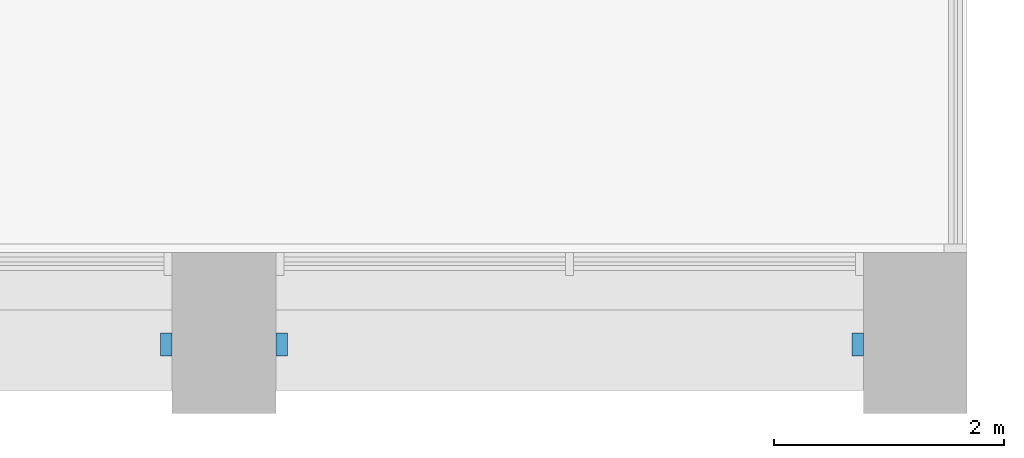
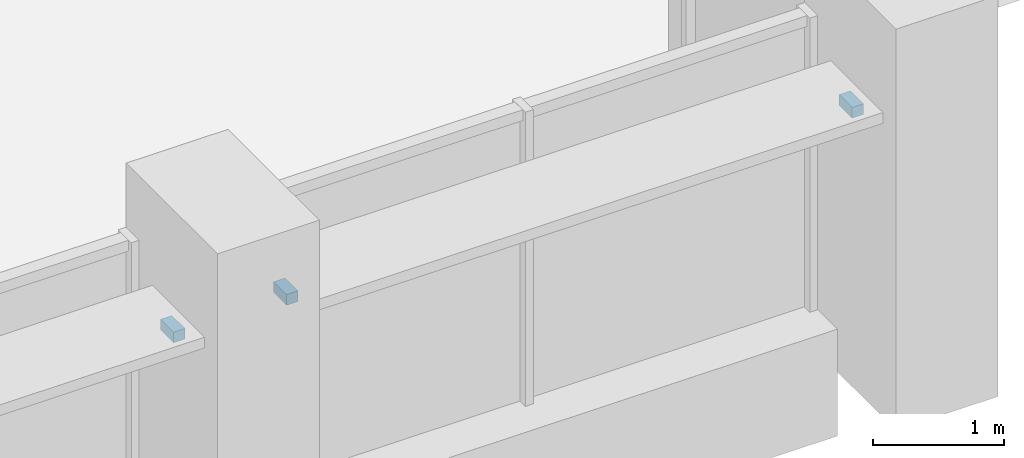
# One storey, part 14 of 15: 3 discrete accessories.
"""IFC4 building model written with IfcOpenShell, lengths in metres."""

from ifc_helpers import new_model, si_unit, direction, frame, origin, origin_2d, place, context, subcontext, project, spatial, rectangle, extrude, element, save


model = new_model("IFC4")

# Units and contexts
model_context = context("Model", 3, precision=1e-05, world=origin(), true_north=direction((0.0, 1.0)))
body_context = subcontext(model_context, "Body", "Model", "MODEL_VIEW")
ifc_project = project(units=[si_unit("LENGTHUNIT", "METRE"), si_unit("AREAUNIT", "SQUARE_METRE"), si_unit("VOLUMEUNIT", "CUBIC_METRE"), si_unit("PLANEANGLEUNIT", "RADIAN"), si_unit("MASSUNIT", "GRAM", prefix="KILO")], contexts=[model_context])

# Site, building, storey
site_placement = place(None, origin())
site = spatial("IfcSite", under=ifc_project, at=site_placement, CompositionType="ELEMENT")
building_placement = place(site_placement, origin())
building = spatial("IfcBuilding", under=site, at=building_placement, Name="Calvaro Tower", CompositionType="ELEMENT")
storey_placement = place(building_placement, frame((0.0, 0.0, 125.0)))
storey = spatial("IfcBuildingStorey", under=building, at=storey_placement, Name="L31", CompositionType="ELEMENT", Elevation=125.0)

# Discrete accessories
for number, where, z_axis, x_axis, name in (
    (1, (59.5, 2.10009765625, 2.25), (0.0, 0.0, 1.0), (1.0, 0.0, 0.0), "Brise-soleil bracket"),
    (2, (60.5, 2.10009765625, 2.25), (0.0, 0.0, 1.0), (1.0, 0.0, 0.0), "Brise-soleil bracket"),
    (3, (65.5, 2.10009765625, 2.25), (0.0, 0.0, 1.0), (1.0, 0.0, 0.0), "Brise-soleil bracket"),
):
    element("IfcDiscreteAccessory", number, at=place(storey_placement, frame(where, z_axis=z_axis, x_axis=x_axis)), inside=storey, Name=name, PredefinedType="BRACKET", context=body_context, shape_type="SweptSolid", body=[
        extrude(rectangle(XDim=0.10009765625, YDim=0.199951171875, at=origin_2d()), origin(), (0.0, 0.0, 1.0), 0.10009765625),
    ])

save(model, "model.ifc")
